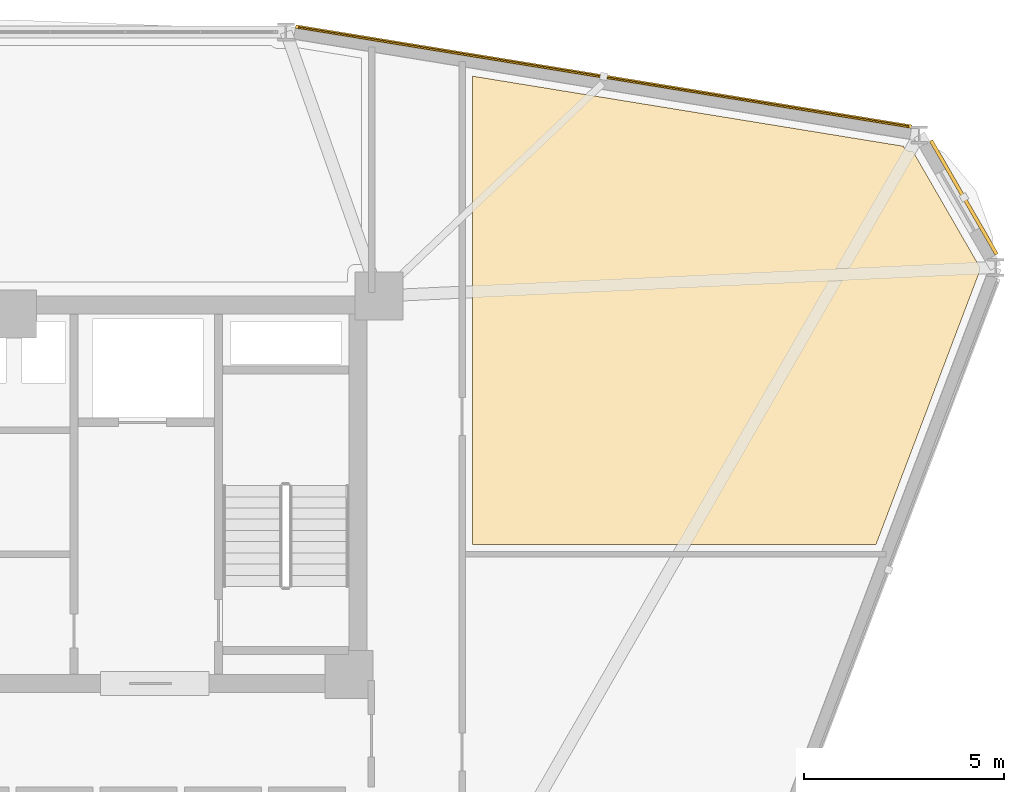
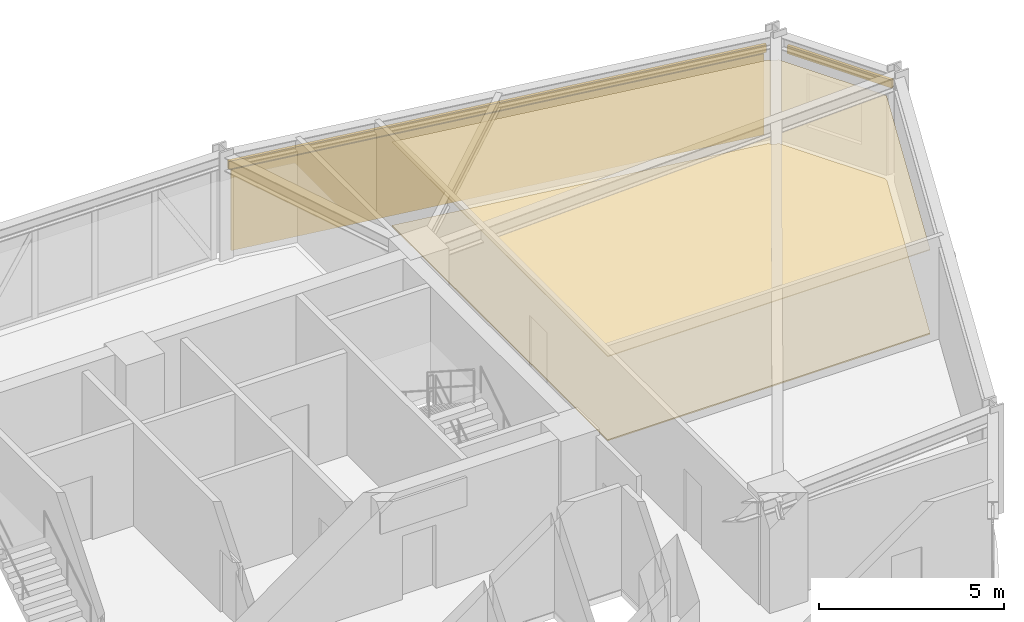
# One storey, part 17 of 17: 3 coverings, 2 shading devices.
"""IFC4 building model written with IfcOpenShell, lengths in metres."""

from ifc_helpers import new_model, si_unit, derived_unit, direction, frame, origin, origin_2d, place, context, subcontext, project, spatial, polyline, hollow_rectangle, outline, extrude, source, transform, mapped, material, layer, layer_set, material_profile, profile_set, type_object, element, save


model = new_model("IFC4")

# Units and contexts
model_context = context("Model", 3, precision=1e-05, world=origin(), true_north=direction((0.0, 1.0)))
body_context = subcontext(model_context, "Body", "Model", "MODEL_VIEW")
ifc_project = project(units=[si_unit("LENGTHUNIT", "METRE"), si_unit("AREAUNIT", "SQUARE_METRE"), si_unit("VOLUMEUNIT", "CUBIC_METRE"), si_unit("PLANEANGLEUNIT", "RADIAN"), si_unit("MASSUNIT", "GRAM", prefix="KILO"), derived_unit("THERMALTRANSMITTANCEUNIT", [(si_unit("POWERUNIT", "WATT"), 1), (si_unit("LENGTHUNIT", "METRE"), -2), (si_unit("THERMODYNAMICTEMPERATUREUNIT", "KELVIN"), -1)])], contexts=[model_context])

# Site, building, storey
site_placement = place(None, origin())
site = spatial("IfcSite", under=ifc_project, at=site_placement, CompositionType="ELEMENT")
building_placement = place(site_placement, origin())
building = spatial("IfcBuilding", under=site, at=building_placement, Name="Korsvarv Bourse and Concert Hall", CompositionType="ELEMENT")
storey_placement = place(building_placement, frame((0.0, 0.0, 124.199951171875)))
storey = spatial("IfcBuildingStorey", under=building, at=storey_placement, Name="L31", CompositionType="ELEMENT", Elevation=124.199951171875)

# Coverings
ifc_material_1 = material(Name="Perforated mineral-wool and birch acoustic baffle ceiling", Category="wood")
ifc_layer_1 = layer(ifc_material_1, 0.02490234375)
ifc_layer_set_1 = layer_set([ifc_layer_1], Name="Perforated mineral-wool and birch acoustic baffle ceiling")
covering_type_1 = type_object("IfcCoveringType", Name="COV-CEIL-1", PredefinedType="CEILING", material=ifc_layer_set_1)
covering_1_placement = place(storey_placement, frame((0.0, 0.0, 2.780029296875)))
element("IfcCovering", 1, at=covering_1_placement, inside=storey, type_object=covering_type_1, Name="L31 acoustic baffle ceiling 1", PredefinedType="CEILING", context=body_context, shape_type="SweptSolid", body=[
    extrude(outline(polyline([(58.242919921875, 50.98974609375), (58.257080078125, 50.956298828125), (58.27783203125, 50.926513671875), (58.303955078125, 50.901611328125), (58.334716796875, 50.882080078125), (58.368408203125, 50.869384765625), (58.404296875, 50.863525390625), (58.478759765625, 50.859375), (60.142822265625, 47.977294921875), (60.142822265625, 47.872802734375), (57.555908203125, 41.050048828125), (47.47998046875, 41.050048828125), (47.47998046875, 52.739990234375), (58.242919921875, 50.98974609375)])), origin(), (0.0, 0.0, 1.0), 0.02490234375),
])
ifc_material_2 = material(Name="Warm iron-oxide extruded terracotta rainscreen tile", Category="ceramic")
ifc_layer_2 = layer(ifc_material_2, 0.044921875)
ifc_layer_set_2 = layer_set([ifc_layer_2], Name="Warm iron-oxide extruded terracotta rainscreen tile")
covering_type_2 = type_object("IfcCoveringType", Name="COV-CLD-TC", PredefinedType="CLADDING", material=ifc_layer_set_2)
covering_2_placement = place(storey_placement, origin())
element("IfcCovering", 2, at=covering_2_placement, inside=storey, type_object=covering_type_2, Name="L31 fluted terracotta cladding panel EW-L31-B02", PredefinedType="CLADDING", context=body_context, shape_type="SweptSolid", body=[
    extrude(outline(polyline([(58.362548828125, 51.45166015625), (43.141357421875, 53.9267578125), (43.148681640625, 53.97119140625), (58.36962890625, 51.49609375), (58.362548828125, 51.45166015625)])), origin(), (0.0, 0.0, 1.0), 2.679931640625),
])
ifc_material_3 = material(Name="Calcium-sulphate raised access trading floor with Nordic oak top", Category="wood")
ifc_layer_3 = layer(ifc_material_3, 0.0400390625)
ifc_layer_set_3 = layer_set([ifc_layer_3], Name="Calcium-sulphate raised access trading floor with Nordic oak top")
covering_type_3 = type_object("IfcCoveringType", Name="COV-FLOR-1", PredefinedType="FLOORING", material=ifc_layer_set_3)
covering_3_placement = place(storey_placement, origin())
element("IfcCovering", 3, at=covering_3_placement, inside=storey, type_object=covering_type_3, Name="L31 raised access oak floor finish 1", PredefinedType="FLOORING", context=body_context, shape_type="SweptSolid", body=[
    extrude(outline(polyline([(58.242919921875, 50.98974609375), (58.257080078125, 50.956298828125), (58.27783203125, 50.926513671875), (58.303955078125, 50.901611328125), (58.334716796875, 50.882080078125), (58.368408203125, 50.869384765625), (58.404296875, 50.863525390625), (58.478759765625, 50.859375), (60.142822265625, 47.977294921875), (60.142822265625, 47.872802734375), (57.555908203125, 41.050048828125), (47.47998046875, 41.050048828125), (47.47998046875, 52.739990234375), (58.242919921875, 50.98974609375)])), origin(), (0.0, 0.0, 1.0), 0.0400390625),
])

# Shading devices
ifc_material_4 = material(Name="Glazed extruded architectural terracotta", Category="ceramic")
ifc_material_profile = material_profile(ifc_material_4, hollow_rectangle(XDim=0.090087890625, YDim=0.260009765625, WallThickness=0.011962890625, at=origin_2d()), Name="TC-BAG 90x260")
ifc_profile_set = profile_set([ifc_material_profile], Name="Glazed extruded architectural terracotta")
shading_device_type = type_object("IfcShadingDeviceType", Name="SHD-BAG-1", PredefinedType="USERDEFINED", material=ifc_profile_set)
shared_shape_1 = source(origin(), body_context, "Body", "SweptSolid", [
    extrude(hollow_rectangle(XDim=0.090087890625, YDim=0.260009765625, WallThickness=0.011962890625, at=origin_2d()), origin(), (0.0, 0.0, 1.0), 3.279296875),
])
shading_device_1_placement = place(storey_placement, frame((60.56787109375, 48.291015625, 2.840087890625), z_axis=(-0.500014611105, 0.866016967894, 0.0), x_axis=(-0.866016967894, -0.500014611105, 0.0)))
element("IfcShadingDevice", 4, at=shading_device_1_placement, inside=storey, type_object=shading_device_type, Name="L31 terracotta baguette sunshade EW-L31-B01", ObjectType="BAGUETTE", PredefinedType="USERDEFINED", context=body_context, shape_type="MappedRepresentation", body=[
    mapped(shared_shape_1, transform((0.0, 0.0, 0.0), scale=1.0)),
])
shared_shape_2 = source(origin(), body_context, "Body", "SweptSolid", [
    extrude(hollow_rectangle(XDim=0.090087890625, YDim=0.260009765625, WallThickness=0.011962890625, at=origin_2d()), origin(), (0.0, 0.0, 1.0), 15.5810546875),
])
shading_device_2_placement = place(storey_placement, frame((58.447998046875, 51.478271484375, 2.840087890625), z_axis=(-0.987036263752, 0.160497395736, 0.0), x_axis=(-0.160497395736, -0.987036263752, 0.0)))
element("IfcShadingDevice", 5, at=shading_device_2_placement, inside=storey, type_object=shading_device_type, Name="L31 terracotta baguette sunshade EW-L31-B02", ObjectType="BAGUETTE", PredefinedType="USERDEFINED", context=body_context, shape_type="MappedRepresentation", body=[
    mapped(shared_shape_2, transform((0.0, 0.0, 0.0), scale=1.0)),
])

save(model, "model.ifc")
